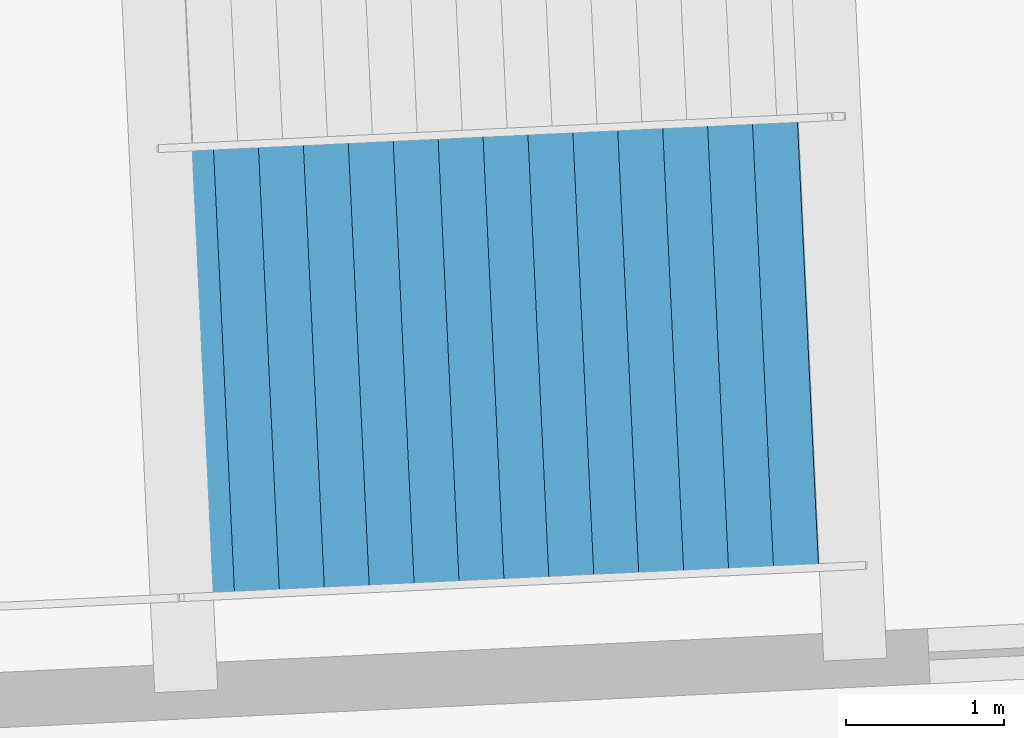
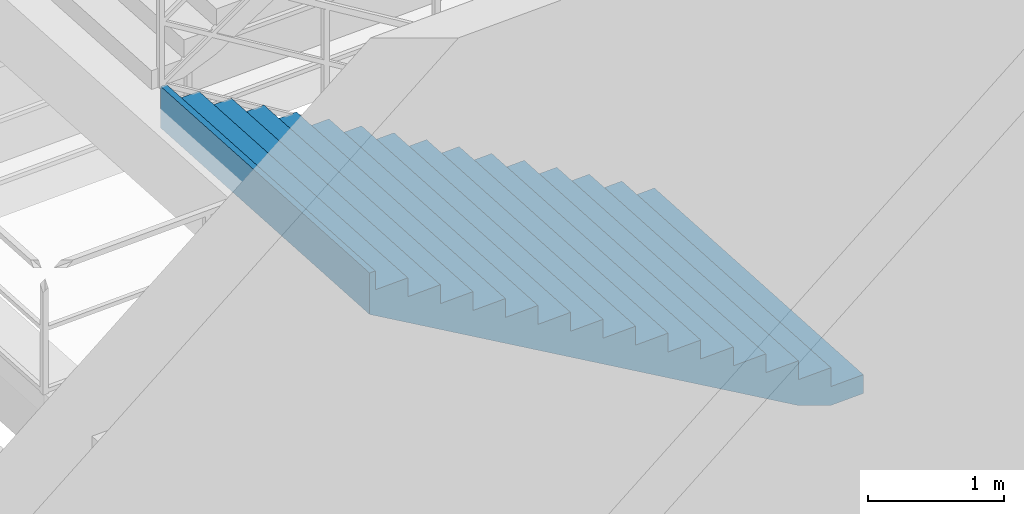
# One storey, part 162 of 186: 1 stair flight, 1 element without a shape of its own.
"""IFC4 building model written with IfcOpenShell, lengths in metres."""

from ifc_helpers import new_model, si_unit, direction, frame, origin, place, context, subcontext, project, spatial, polygons, material, type_object, element, aggregate, save


model = new_model("IFC4")

# Units and contexts
model_context = context("Model", 3, precision=1e-05, world=origin(), true_north=direction((0.0, 1.0)))
body_context = subcontext(model_context, "Body", "Model", "MODEL_VIEW")
ifc_project = project(units=[si_unit("LENGTHUNIT", "METRE"), si_unit("AREAUNIT", "SQUARE_METRE"), si_unit("VOLUMEUNIT", "CUBIC_METRE"), si_unit("PLANEANGLEUNIT", "RADIAN"), si_unit("MASSUNIT", "GRAM", prefix="KILO")], contexts=[model_context])

# Site, building, storey
site_placement = place(None, origin())
site = spatial("IfcSite", under=ifc_project, at=site_placement, CompositionType="ELEMENT")
building_placement = place(site_placement, origin())
building = spatial("IfcBuilding", under=site, at=building_placement, Name="Kazemori Nagisa Stadium", CompositionType="ELEMENT")
storey_placement = place(building_placement, frame((0.0, 0.0, 20.39990234375)))
storey = spatial("IfcBuildingStorey", under=building, at=storey_placement, Name="L04", CompositionType="ELEMENT", Elevation=20.39990234375)

# Stair, stair flight
ifc_material = material(Name="Concrete C36/45 (Fc36)", Category="concrete")
stair_type = type_object("IfcStairType", Name="Stair_CORE_32", PredefinedType="TWO_STRAIGHT_RUN_STAIR", material=ifc_material)
stair_placement = place(storey_placement, origin())
stair = element("IfcStair", 1, at=stair_placement, inside=storey, type_object=stair_type, Name="Exit stair ST05 L04", PredefinedType="TWO_STRAIGHT_RUN_STAIR")
stair_flight_type = type_object("IfcStairFlightType", Name="Flight_CORE_16", PredefinedType="STRAIGHT", material=ifc_material)
stair_flight_placement = place(storey_placement, frame((119.465087890625, 180.565673828125, 0.0), z_axis=(0.0, 0.0, 1.0), x_axis=(-0.99888410244, -0.047228697771, 0.0)))
stair_flight = element("IfcStairFlight", 2, at=stair_flight_placement, type_object=stair_flight_type, Name="Exit stair ST05 L04 flight 1", NumberOfRisers=16, NumberOfTreads=15, PredefinedType="STRAIGHT", RiserHeight=0.17, TreadLength=0.285, context=body_context, shape_type="Tessellation", body=[
    polygons([(0.0, -1.425048828125, 0.0), (0.0, -1.425048828125, 0.169921875), (0.284912109375, -1.425048828125, 0.169921875), (0.284912109375, -1.425048828125, 0.340087890625), (0.570068359375, -1.425048828125, 0.340087890625), (0.570068359375, -1.425048828125, 0.510009765625), (0.85498046875, -1.425048828125, 0.510009765625), (0.85498046875, -1.425048828125, 0.679931640625), (1.139892578125, -1.425048828125, 0.679931640625), (1.139892578125, -1.425048828125, 0.85009765625), (1.425048828125, -1.425048828125, 0.85009765625), (1.425048828125, -1.425048828125, 1.02001953125), (1.7099609375, -1.425048828125, 1.02001953125), (1.7099609375, -1.425048828125, 1.18994140625), (1.9951171875, -1.425048828125, 1.18994140625), (1.9951171875, -1.425048828125, 1.360107421875), (2.280029296875, -1.425048828125, 1.360107421875), (2.280029296875, -1.425048828125, 1.530029296875), (2.56494140625, -1.425048828125, 1.530029296875), (2.56494140625, -1.425048828125, 1.699951171875), (2.85009765625, -1.425048828125, 1.699951171875), (2.85009765625, -1.425048828125, 1.8701171875), (3.135009765625, -1.425048828125, 1.8701171875), (3.135009765625, -1.425048828125, 2.0400390625), (3.419921875, -1.425048828125, 2.0400390625), (3.419921875, -1.425048828125, 2.2099609375), (3.705078125, -1.425048828125, 2.2099609375), (3.705078125, -1.425048828125, 2.3798828125), (3.989990234375, -1.425048828125, 2.3798828125), (3.989990234375, -1.425048828125, 2.550048828125), (4.27490234375, -1.425048828125, 2.550048828125), (4.27490234375, -1.425048828125, 2.719970703125), (4.324951171875, -1.425048828125, 2.719970703125), (4.324951171875, -1.425048828125, 2.346923828125), (4.27490234375, -1.425048828125, 2.317138671875), (3.989990234375, -1.425048828125, 2.147216796875), (3.705078125, -1.425048828125, 1.977294921875), (3.419921875, -1.425048828125, 1.80712890625), (3.135009765625, -1.425048828125, 1.63720703125), (2.85009765625, -1.425048828125, 1.46728515625), (2.56494140625, -1.425048828125, 1.297119140625), (2.280029296875, -1.425048828125, 1.127197265625), (1.9951171875, -1.425048828125, 0.957275390625), (1.7099609375, -1.425048828125, 0.787109375), (1.425048828125, -1.425048828125, 0.6171875), (1.139892578125, -1.425048828125, 0.447265625), (0.85498046875, -1.425048828125, 0.277099609375), (0.570068359375, -1.425048828125, 0.107177734375), (0.284912109375, -1.425048828125, 0.0), (0.0, -0.08544921875, 0.0), (0.0, -0.08544921875, 0.169921875), (0.284912109375, -0.08544921875, 0.169921875), (0.284912109375, -0.08544921875, 0.340087890625), (0.570068359375, -0.08544921875, 0.340087890625), (0.570068359375, -0.08544921875, 0.510009765625), (0.85498046875, -0.08544921875, 0.510009765625), (0.85498046875, -0.08544921875, 0.679931640625), (1.139892578125, -0.08544921875, 0.679931640625), (1.139892578125, -0.08544921875, 0.85009765625), (1.425048828125, -0.08544921875, 0.85009765625), (1.425048828125, -0.08544921875, 1.02001953125), (1.7099609375, -0.08544921875, 1.02001953125), (1.7099609375, -0.08544921875, 1.18994140625), (1.9951171875, -0.08544921875, 1.18994140625), (1.9951171875, -0.08544921875, 1.360107421875), (2.280029296875, -0.08544921875, 1.360107421875), (2.280029296875, -0.08544921875, 1.530029296875), (2.56494140625, -0.08544921875, 1.530029296875), (2.56494140625, -0.08544921875, 1.699951171875), (2.85009765625, -0.08544921875, 1.699951171875), (2.85009765625, -0.08544921875, 1.8701171875), (3.135009765625, -0.08544921875, 1.8701171875), (3.135009765625, -0.08544921875, 2.0400390625), (3.419921875, -0.08544921875, 2.0400390625), (3.419921875, -0.08544921875, 2.2099609375), (3.705078125, -0.08544921875, 2.2099609375), (3.705078125, -0.08544921875, 2.3798828125), (3.989990234375, -0.08544921875, 2.3798828125), (3.989990234375, -0.08544921875, 2.550048828125), (4.27490234375, -0.08544921875, 2.550048828125), (4.27490234375, -0.08544921875, 2.719970703125), (4.324951171875, -0.08544921875, 2.719970703125), (4.324951171875, -0.08544921875, 2.346923828125), (4.27490234375, -0.08544921875, 2.317138671875), (3.989990234375, -0.08544921875, 2.147216796875), (3.705078125, -0.08544921875, 1.977294921875), (3.419921875, -0.08544921875, 1.80712890625), (3.135009765625, -0.08544921875, 1.63720703125), (2.85009765625, -0.08544921875, 1.46728515625), (2.56494140625, -0.08544921875, 1.297119140625), (2.280029296875, -0.08544921875, 1.127197265625), (1.9951171875, -0.08544921875, 0.957275390625), (1.7099609375, -0.08544921875, 0.787109375), (1.425048828125, -0.08544921875, 0.6171875), (1.139892578125, -0.08544921875, 0.447265625), (0.85498046875, -0.08544921875, 0.277099609375), (0.570068359375, -0.08544921875, 0.107177734375), (0.284912109375, -0.08544921875, 0.0), (0.0, 0.0, 0.0), (0.0, 0.0, 0.169921875), (0.284912109375, 0.0, 0.169921875), (0.284912109375, 0.0, 0.340087890625), (0.570068359375, 0.0, 0.340087890625), (0.570068359375, 0.0, 0.510009765625), (0.85498046875, 0.0, 0.510009765625), (0.85498046875, 0.0, 0.679931640625), (1.139892578125, 0.0, 0.679931640625), (1.139892578125, 0.0, 0.85009765625), (1.425048828125, 0.0, 0.85009765625), (1.425048828125, 0.0, 1.02001953125), (1.7099609375, 0.0, 1.02001953125), (1.7099609375, 0.0, 1.18994140625), (1.9951171875, 0.0, 1.18994140625), (1.9951171875, 0.0, 1.360107421875), (2.280029296875, 0.0, 1.360107421875), (2.280029296875, 0.0, 1.530029296875), (2.56494140625, 0.0, 1.530029296875), (2.56494140625, 0.0, 1.699951171875), (2.85009765625, 0.0, 1.699951171875), (2.85009765625, 0.0, 1.8701171875), (3.135009765625, 0.0, 1.8701171875), (3.135009765625, 0.0, 2.0400390625), (3.419921875, 0.0, 2.0400390625), (3.419921875, 0.0, 2.2099609375), (3.705078125, 0.0, 2.2099609375), (3.705078125, 0.0, 2.3798828125), (3.989990234375, 0.0, 2.3798828125), (3.989990234375, 0.0, 2.550048828125), (4.27490234375, 0.0, 2.550048828125), (4.27490234375, 0.0, 2.719970703125), (4.324951171875, 0.0, 2.719970703125), (4.324951171875, 0.0, 2.346923828125), (4.27490234375, 0.0, 2.317138671875), (3.989990234375, 0.0, 2.147216796875), (3.705078125, 0.0, 1.977294921875), (3.419921875, 0.0, 1.80712890625), (3.135009765625, 0.0, 1.63720703125), (2.85009765625, 0.0, 1.46728515625), (2.56494140625, 0.0, 1.297119140625), (2.280029296875, 0.0, 1.127197265625), (1.9951171875, 0.0, 0.957275390625), (1.7099609375, 0.0, 0.787109375), (1.425048828125, 0.0, 0.6171875), (1.139892578125, 0.0, 0.447265625), (0.85498046875, 0.0, 0.277099609375), (0.570068359375, 0.0, 0.107177734375), (0.284912109375, 0.0, 0.0), (0.0, 0.08544921875, 0.0), (0.0, 0.08544921875, 0.169921875), (0.284912109375, 0.08544921875, 0.169921875), (0.284912109375, 0.08544921875, 0.340087890625), (0.570068359375, 0.08544921875, 0.340087890625), (0.570068359375, 0.08544921875, 0.510009765625), (0.85498046875, 0.08544921875, 0.510009765625), (0.85498046875, 0.08544921875, 0.679931640625), (1.139892578125, 0.08544921875, 0.679931640625), (1.139892578125, 0.08544921875, 0.85009765625), (1.425048828125, 0.08544921875, 0.85009765625), (1.425048828125, 0.08544921875, 1.02001953125), (1.7099609375, 0.08544921875, 1.02001953125), (1.7099609375, 0.08544921875, 1.18994140625), (1.9951171875, 0.08544921875, 1.18994140625), (1.9951171875, 0.08544921875, 1.360107421875), (2.280029296875, 0.08544921875, 1.360107421875), (2.280029296875, 0.08544921875, 1.530029296875), (2.56494140625, 0.08544921875, 1.530029296875), (2.56494140625, 0.08544921875, 1.699951171875), (2.85009765625, 0.08544921875, 1.699951171875), (2.85009765625, 0.08544921875, 1.8701171875), (3.135009765625, 0.08544921875, 1.8701171875), (3.135009765625, 0.08544921875, 2.0400390625), (3.419921875, 0.08544921875, 2.0400390625), (3.419921875, 0.08544921875, 2.2099609375), (3.705078125, 0.08544921875, 2.2099609375), (3.705078125, 0.08544921875, 2.3798828125), (3.989990234375, 0.08544921875, 2.3798828125), (3.989990234375, 0.08544921875, 2.550048828125), (4.27490234375, 0.08544921875, 2.550048828125), (4.27490234375, 0.08544921875, 2.719970703125), (4.324951171875, 0.08544921875, 2.719970703125), (4.324951171875, 0.08544921875, 2.346923828125), (4.27490234375, 0.08544921875, 2.317138671875), (3.989990234375, 0.08544921875, 2.147216796875), (3.705078125, 0.08544921875, 1.977294921875), (3.419921875, 0.08544921875, 1.80712890625), (3.135009765625, 0.08544921875, 1.63720703125), (2.85009765625, 0.08544921875, 1.46728515625), (2.56494140625, 0.08544921875, 1.297119140625), (2.280029296875, 0.08544921875, 1.127197265625), (1.9951171875, 0.08544921875, 0.957275390625), (1.7099609375, 0.08544921875, 0.787109375), (1.425048828125, 0.08544921875, 0.6171875), (1.139892578125, 0.08544921875, 0.447265625), (0.85498046875, 0.08544921875, 0.277099609375), (0.570068359375, 0.08544921875, 0.107177734375), (0.284912109375, 0.08544921875, 0.0), (0.0, 1.425048828125, 0.0), (0.0, 1.425048828125, 0.169921875), (0.284912109375, 1.425048828125, 0.169921875), (0.284912109375, 1.425048828125, 0.340087890625), (0.570068359375, 1.425048828125, 0.340087890625), (0.570068359375, 1.425048828125, 0.510009765625), (0.85498046875, 1.425048828125, 0.510009765625), (0.85498046875, 1.425048828125, 0.679931640625), (1.139892578125, 1.425048828125, 0.679931640625), (1.139892578125, 1.425048828125, 0.85009765625), (1.425048828125, 1.425048828125, 0.85009765625), (1.425048828125, 1.425048828125, 1.02001953125), (1.7099609375, 1.425048828125, 1.02001953125), (1.7099609375, 1.425048828125, 1.18994140625), (1.9951171875, 1.425048828125, 1.18994140625), (1.9951171875, 1.425048828125, 1.360107421875), (2.280029296875, 1.425048828125, 1.360107421875), (2.280029296875, 1.425048828125, 1.530029296875), (2.56494140625, 1.425048828125, 1.530029296875), (2.56494140625, 1.425048828125, 1.699951171875), (2.85009765625, 1.425048828125, 1.699951171875), (2.85009765625, 1.425048828125, 1.8701171875), (3.135009765625, 1.425048828125, 1.8701171875), (3.135009765625, 1.425048828125, 2.0400390625), (3.419921875, 1.425048828125, 2.0400390625), (3.419921875, 1.425048828125, 2.2099609375), (3.705078125, 1.425048828125, 2.2099609375), (3.705078125, 1.425048828125, 2.3798828125), (3.989990234375, 1.425048828125, 2.3798828125), (3.989990234375, 1.425048828125, 2.550048828125), (4.27490234375, 1.425048828125, 2.550048828125), (4.27490234375, 1.425048828125, 2.719970703125), (4.324951171875, 1.425048828125, 2.719970703125), (4.324951171875, 1.425048828125, 2.346923828125), (4.27490234375, 1.425048828125, 2.317138671875), (3.989990234375, 1.425048828125, 2.147216796875), (3.705078125, 1.425048828125, 1.977294921875), (3.419921875, 1.425048828125, 1.80712890625), (3.135009765625, 1.425048828125, 1.63720703125), (2.85009765625, 1.425048828125, 1.46728515625), (2.56494140625, 1.425048828125, 1.297119140625), (2.280029296875, 1.425048828125, 1.127197265625), (1.9951171875, 1.425048828125, 0.957275390625), (1.7099609375, 1.425048828125, 0.787109375), (1.425048828125, 1.425048828125, 0.6171875), (1.139892578125, 1.425048828125, 0.447265625), (0.85498046875, 1.425048828125, 0.277099609375), (0.570068359375, 1.425048828125, 0.107177734375), (0.284912109375, 1.425048828125, 0.0)], [[[1, 2, 51]], [[1, 51, 50]], [[2, 3, 52]], [[2, 52, 51]], [[3, 4, 53]], [[3, 53, 52]], [[4, 5, 54]], [[4, 54, 53]], [[5, 6, 55]], [[5, 55, 54]], [[6, 7, 56]], [[6, 56, 55]], [[7, 8, 57]], [[7, 57, 56]], [[8, 9, 58]], [[8, 58, 57]], [[9, 10, 59]], [[9, 59, 58]], [[10, 11, 60]], [[10, 60, 59]], [[11, 12, 61]], [[11, 61, 60]], [[12, 13, 62]], [[12, 62, 61]], [[13, 14, 63]], [[13, 63, 62]], [[14, 15, 64]], [[14, 64, 63]], [[15, 16, 65]], [[15, 65, 64]], [[16, 17, 66]], [[16, 66, 65]], [[17, 18, 67]], [[17, 67, 66]], [[18, 19, 68]], [[18, 68, 67]], [[19, 20, 69]], [[19, 69, 68]], [[20, 21, 70]], [[20, 70, 69]], [[21, 22, 71]], [[21, 71, 70]], [[22, 23, 72]], [[22, 72, 71]], [[23, 24, 73]], [[23, 73, 72]], [[24, 25, 74]], [[24, 74, 73]], [[25, 26, 75]], [[25, 75, 74]], [[26, 27, 76]], [[26, 76, 75]], [[27, 28, 77]], [[27, 77, 76]], [[28, 29, 78]], [[28, 78, 77]], [[29, 30, 79]], [[29, 79, 78]], [[30, 31, 80]], [[30, 80, 79]], [[31, 32, 81]], [[31, 81, 80]], [[32, 33, 82]], [[32, 82, 81]], [[33, 34, 83]], [[33, 83, 82]], [[34, 35, 84]], [[34, 84, 83]], [[35, 36, 85]], [[35, 85, 84]], [[36, 37, 86]], [[36, 86, 85]], [[37, 38, 87]], [[37, 87, 86]], [[38, 39, 88]], [[38, 88, 87]], [[39, 40, 89]], [[39, 89, 88]], [[40, 41, 90]], [[40, 90, 89]], [[41, 42, 91]], [[41, 91, 90]], [[42, 43, 92]], [[42, 92, 91]], [[43, 44, 93]], [[43, 93, 92]], [[44, 45, 94]], [[44, 94, 93]], [[45, 46, 95]], [[45, 95, 94]], [[46, 47, 96]], [[46, 96, 95]], [[47, 48, 97]], [[47, 97, 96]], [[48, 49, 98]], [[48, 98, 97]], [[49, 1, 50]], [[49, 50, 98]], [[50, 51, 100]], [[50, 100, 99]], [[51, 52, 101]], [[51, 101, 100]], [[52, 53, 102]], [[52, 102, 101]], [[53, 54, 103]], [[53, 103, 102]], [[54, 55, 104]], [[54, 104, 103]], [[55, 56, 105]], [[55, 105, 104]], [[56, 57, 106]], [[56, 106, 105]], [[57, 58, 107]], [[57, 107, 106]], [[58, 59, 108]], [[58, 108, 107]], [[59, 60, 109]], [[59, 109, 108]], [[60, 61, 110]], [[60, 110, 109]], [[61, 62, 111]], [[61, 111, 110]], [[62, 63, 112]], [[62, 112, 111]], [[63, 64, 113]], [[63, 113, 112]], [[64, 65, 114]], [[64, 114, 113]], [[65, 66, 115]], [[65, 115, 114]], [[66, 67, 116]], [[66, 116, 115]], [[67, 68, 117]], [[67, 117, 116]], [[68, 69, 118]], [[68, 118, 117]], [[69, 70, 119]], [[69, 119, 118]], [[70, 71, 120]], [[70, 120, 119]], [[71, 72, 121]], [[71, 121, 120]], [[72, 73, 122]], [[72, 122, 121]], [[73, 74, 123]], [[73, 123, 122]], [[74, 75, 124]], [[74, 124, 123]], [[75, 76, 125]], [[75, 125, 124]], [[76, 77, 126]], [[76, 126, 125]], [[77, 78, 127]], [[77, 127, 126]], [[78, 79, 128]], [[78, 128, 127]], [[79, 80, 129]], [[79, 129, 128]], [[80, 81, 130]], [[80, 130, 129]], [[81, 82, 131]], [[81, 131, 130]], [[82, 83, 132]], [[82, 132, 131]], [[83, 84, 133]], [[83, 133, 132]], [[84, 85, 134]], [[84, 134, 133]], [[85, 86, 135]], [[85, 135, 134]], [[86, 87, 136]], [[86, 136, 135]], [[87, 88, 137]], [[87, 137, 136]], [[88, 89, 138]], [[88, 138, 137]], [[89, 90, 139]], [[89, 139, 138]], [[90, 91, 140]], [[90, 140, 139]], [[91, 92, 141]], [[91, 141, 140]], [[92, 93, 142]], [[92, 142, 141]], [[93, 94, 143]], [[93, 143, 142]], [[94, 95, 144]], [[94, 144, 143]], [[95, 96, 145]], [[95, 145, 144]], [[96, 97, 146]], [[96, 146, 145]], [[97, 98, 147]], [[97, 147, 146]], [[98, 50, 99]], [[98, 99, 147]], [[99, 100, 149]], [[99, 149, 148]], [[100, 101, 150]], [[100, 150, 149]], [[101, 102, 151]], [[101, 151, 150]], [[102, 103, 152]], [[102, 152, 151]], [[103, 104, 153]], [[103, 153, 152]], [[104, 105, 154]], [[104, 154, 153]], [[105, 106, 155]], [[105, 155, 154]], [[106, 107, 156]], [[106, 156, 155]], [[107, 108, 157]], [[107, 157, 156]], [[108, 109, 158]], [[108, 158, 157]], [[109, 110, 159]], [[109, 159, 158]], [[110, 111, 160]], [[110, 160, 159]], [[111, 112, 161]], [[111, 161, 160]], [[112, 113, 162]], [[112, 162, 161]], [[113, 114, 163]], [[113, 163, 162]], [[114, 115, 164]], [[114, 164, 163]], [[115, 116, 165]], [[115, 165, 164]], [[116, 117, 166]], [[116, 166, 165]], [[117, 118, 167]], [[117, 167, 166]], [[118, 119, 168]], [[118, 168, 167]], [[119, 120, 169]], [[119, 169, 168]], [[120, 121, 170]], [[120, 170, 169]], [[121, 122, 171]], [[121, 171, 170]], [[122, 123, 172]], [[122, 172, 171]], [[123, 124, 173]], [[123, 173, 172]], [[124, 125, 174]], [[124, 174, 173]], [[125, 126, 175]], [[125, 175, 174]], [[126, 127, 176]], [[126, 176, 175]], [[127, 128, 177]], [[127, 177, 176]], [[128, 129, 178]], [[128, 178, 177]], [[129, 130, 179]], [[129, 179, 178]], [[130, 131, 180]], [[130, 180, 179]], [[131, 132, 181]], [[131, 181, 180]], [[132, 133, 182]], [[132, 182, 181]], [[133, 134, 183]], [[133, 183, 182]], [[134, 135, 184]], [[134, 184, 183]], [[135, 136, 185]], [[135, 185, 184]], [[136, 137, 186]], [[136, 186, 185]], [[137, 138, 187]], [[137, 187, 186]], [[138, 139, 188]], [[138, 188, 187]], [[139, 140, 189]], [[139, 189, 188]], [[140, 141, 190]], [[140, 190, 189]], [[141, 142, 191]], [[141, 191, 190]], [[142, 143, 192]], [[142, 192, 191]], [[143, 144, 193]], [[143, 193, 192]], [[144, 145, 194]], [[144, 194, 193]], [[145, 146, 195]], [[145, 195, 194]], [[146, 147, 196]], [[146, 196, 195]], [[147, 99, 148]], [[147, 148, 196]], [[148, 149, 198]], [[148, 198, 197]], [[149, 150, 199]], [[149, 199, 198]], [[150, 151, 200]], [[150, 200, 199]], [[151, 152, 201]], [[151, 201, 200]], [[152, 153, 202]], [[152, 202, 201]], [[153, 154, 203]], [[153, 203, 202]], [[154, 155, 204]], [[154, 204, 203]], [[155, 156, 205]], [[155, 205, 204]], [[156, 157, 206]], [[156, 206, 205]], [[157, 158, 207]], [[157, 207, 206]], [[158, 159, 208]], [[158, 208, 207]], [[159, 160, 209]], [[159, 209, 208]], [[160, 161, 210]], [[160, 210, 209]], [[161, 162, 211]], [[161, 211, 210]], [[162, 163, 212]], [[162, 212, 211]], [[163, 164, 213]], [[163, 213, 212]], [[164, 165, 214]], [[164, 214, 213]], [[165, 166, 215]], [[165, 215, 214]], [[166, 167, 216]], [[166, 216, 215]], [[167, 168, 217]], [[167, 217, 216]], [[168, 169, 218]], [[168, 218, 217]], [[169, 170, 219]], [[169, 219, 218]], [[170, 171, 220]], [[170, 220, 219]], [[171, 172, 221]], [[171, 221, 220]], [[172, 173, 222]], [[172, 222, 221]], [[173, 174, 223]], [[173, 223, 222]], [[174, 175, 224]], [[174, 224, 223]], [[175, 176, 225]], [[175, 225, 224]], [[176, 177, 226]], [[176, 226, 225]], [[177, 178, 227]], [[177, 227, 226]], [[178, 179, 228]], [[178, 228, 227]], [[179, 180, 229]], [[179, 229, 228]], [[180, 181, 230]], [[180, 230, 229]], [[181, 182, 231]], [[181, 231, 230]], [[182, 183, 232]], [[182, 232, 231]], [[183, 184, 233]], [[183, 233, 232]], [[184, 185, 234]], [[184, 234, 233]], [[185, 186, 235]], [[185, 235, 234]], [[186, 187, 236]], [[186, 236, 235]], [[187, 188, 237]], [[187, 237, 236]], [[188, 189, 238]], [[188, 238, 237]], [[189, 190, 239]], [[189, 239, 238]], [[190, 191, 240]], [[190, 240, 239]], [[191, 192, 241]], [[191, 241, 240]], [[192, 193, 242]], [[192, 242, 241]], [[193, 194, 243]], [[193, 243, 242]], [[194, 195, 244]], [[194, 244, 243]], [[195, 196, 245]], [[195, 245, 244]], [[196, 148, 197]], [[196, 197, 245]], [[3, 2, 1]], [[197, 198, 199]], [[49, 3, 1]], [[197, 199, 245]], [[48, 3, 49]], [[245, 199, 244]], [[5, 3, 48]], [[244, 199, 201]], [[5, 4, 3]], [[199, 200, 201]], [[47, 5, 48]], [[244, 201, 243]], [[7, 5, 47]], [[243, 201, 203]], [[7, 6, 5]], [[201, 202, 203]], [[46, 7, 47]], [[243, 203, 242]], [[9, 7, 46]], [[242, 203, 205]], [[9, 8, 7]], [[203, 204, 205]], [[45, 9, 46]], [[242, 205, 241]], [[11, 9, 45]], [[241, 205, 207]], [[11, 10, 9]], [[205, 206, 207]], [[44, 11, 45]], [[241, 207, 240]], [[13, 11, 44]], [[240, 207, 209]], [[13, 12, 11]], [[207, 208, 209]], [[43, 13, 44]], [[240, 209, 239]], [[15, 13, 43]], [[239, 209, 211]], [[15, 14, 13]], [[209, 210, 211]], [[42, 15, 43]], [[239, 211, 238]], [[17, 15, 42]], [[238, 211, 213]], [[17, 16, 15]], [[211, 212, 213]], [[41, 17, 42]], [[238, 213, 237]], [[19, 17, 41]], [[237, 213, 215]], [[19, 18, 17]], [[213, 214, 215]], [[40, 19, 41]], [[237, 215, 236]], [[21, 19, 40]], [[236, 215, 217]], [[21, 20, 19]], [[215, 216, 217]], [[39, 21, 40]], [[236, 217, 235]], [[23, 21, 39]], [[235, 217, 219]], [[23, 22, 21]], [[217, 218, 219]], [[38, 23, 39]], [[235, 219, 234]], [[25, 23, 38]], [[234, 219, 221]], [[25, 24, 23]], [[219, 220, 221]], [[37, 25, 38]], [[234, 221, 233]], [[27, 25, 37]], [[233, 221, 223]], [[27, 26, 25]], [[221, 222, 223]], [[36, 27, 37]], [[233, 223, 232]], [[29, 27, 36]], [[232, 223, 225]], [[29, 28, 27]], [[223, 224, 225]], [[35, 29, 36]], [[232, 225, 231]], [[31, 29, 35]], [[231, 225, 227]], [[31, 30, 29]], [[225, 226, 227]], [[34, 31, 35]], [[231, 227, 230]], [[33, 31, 34]], [[230, 227, 229]], [[33, 32, 31]], [[227, 228, 229]]], closed=True),
])
aggregate(stair, [stair_flight])

save(model, "model.ifc")
